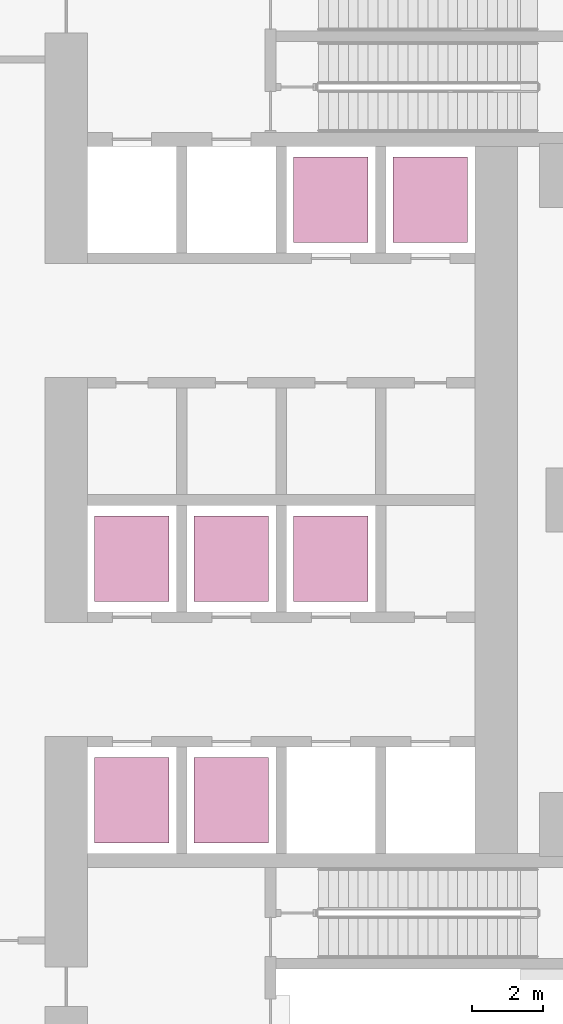
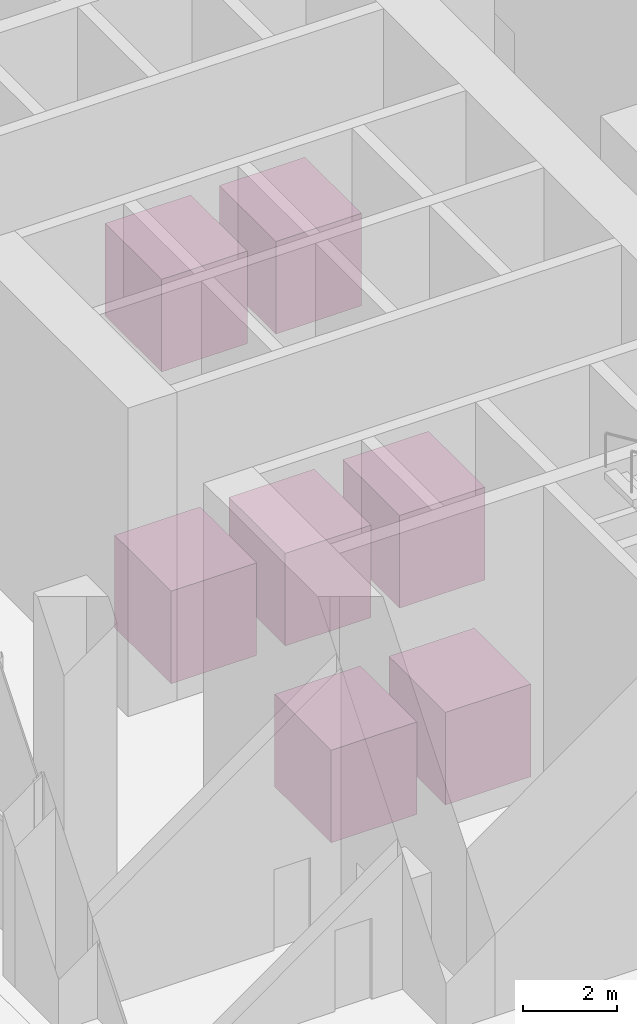
# One storey, part 22 of 22: 7 transport elements.
"""IFC4 building model written with IfcOpenShell, lengths in metres."""

from ifc_helpers import new_model, si_unit, direction, frame, origin, origin_2d, place, context, subcontext, project, spatial, rectangle, extrude, material, type_object, element, save


model = new_model("IFC4")

# Units and contexts
model_context = context("Model", 3, precision=1e-05, world=origin(), true_north=direction((0.0, 1.0)))
body_context = subcontext(model_context, "Body", "Model", "MODEL_VIEW")
ifc_project = project(units=[si_unit("LENGTHUNIT", "METRE"), si_unit("AREAUNIT", "SQUARE_METRE"), si_unit("VOLUMEUNIT", "CUBIC_METRE"), si_unit("PLANEANGLEUNIT", "RADIAN"), si_unit("MASSUNIT", "GRAM", prefix="KILO")], contexts=[model_context])

# Site, building, storey
site_placement = place(None, origin())
site = spatial("IfcSite", under=ifc_project, at=site_placement, CompositionType="ELEMENT")
building_placement = place(site_placement, origin())
building = spatial("IfcBuilding", under=site, at=building_placement, Name="Ostrand Prow Hotel Tower", CompositionType="ELEMENT")
storey_placement = place(building_placement, origin())
storey = spatial("IfcBuildingStorey", under=building, at=storey_placement, Name="L00", CompositionType="ELEMENT", Elevation=0.0)

# Transport elements
ifc_material = material(Name="Stainless steel", Category="steel")
transport_element_type = type_object("IfcTransportElementType", Name="Passenger lift car", PredefinedType="ELEVATOR", material=ifc_material)
for number, where, z_axis, x_axis, name in (
    (1, (57.550048828125, 8.449951171875, 0.0), (0.0, 0.0, 1.0), (1.0, 0.0, 0.0), "LIFT LR1"),
    (2, (60.35009765625, 8.449951171875, 0.0), (0.0, 0.0, 1.0), (1.0, 0.0, 0.0), "LIFT LR2"),
    (3, (51.949951171875, -1.64990234375, 0.0), (0.0, 0.0, 1.0), (1.0, 0.0, 0.0), "LIFT EX1"),
    (4, (54.75, -1.64990234375, 0.0), (0.0, 0.0, 1.0), (1.0, 0.0, 0.0), "LIFT EX2"),
    (5, (57.550048828125, -1.64990234375, 0.0), (0.0, 0.0, 1.0), (1.0, 0.0, 0.0), "LIFT EX3"),
    (6, (51.949951171875, -8.449951171875, 0.0), (0.0, 0.0, 1.0), (1.0, 0.0, 0.0), "LIFT LR3"),
    (7, (54.75, -8.449951171875, 0.0), (0.0, 0.0, 1.0), (1.0, 0.0, 0.0), "LIFT LR4"),
):
    element("IfcTransportElement", number, at=place(storey_placement, frame(where, z_axis=z_axis, x_axis=x_axis)), inside=storey, type_object=transport_element_type, Name=name, PredefinedType="ELEVATOR", context=body_context, shape_type="SweptSolid", body=[
        extrude(rectangle(XDim=2.10009765625, YDim=2.39990234375, at=origin_2d()), origin(), (0.0, 0.0, 1.0), 2.39990234375),
    ])

save(model, "model.ifc")
